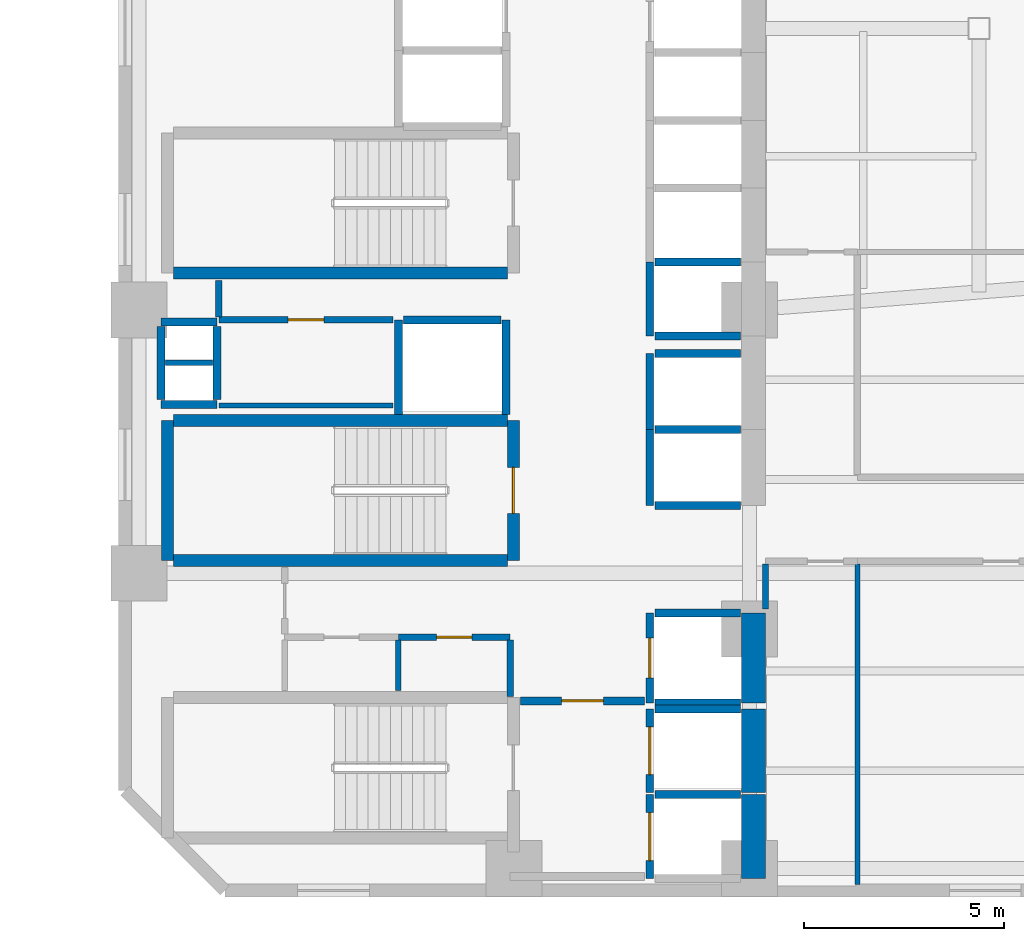
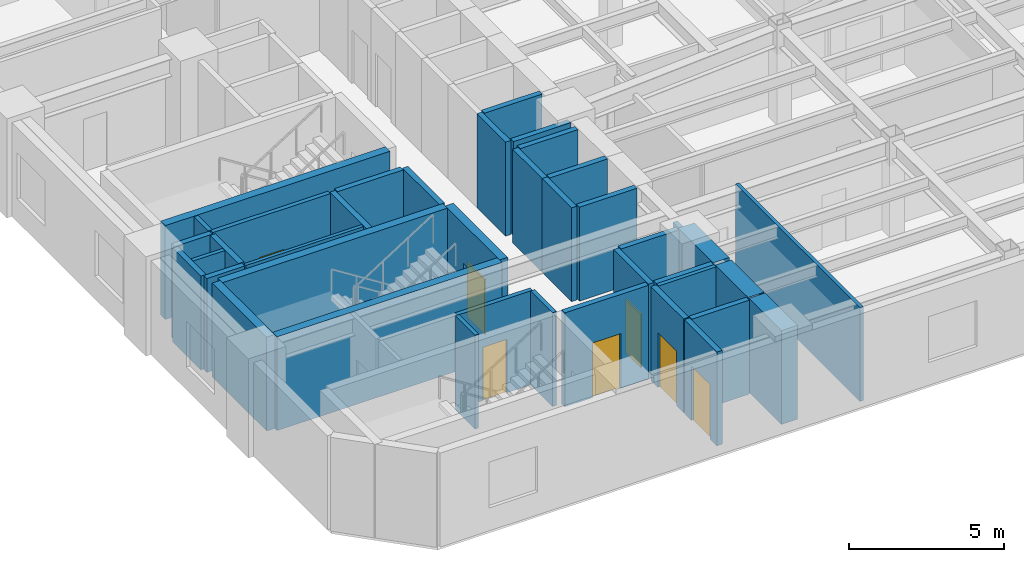
# One storey, part 3 of 11: 40 walls, 7 doors, 7 openings.
"""IFC4 building model written with IfcOpenShell, lengths in metres."""

from ifc_helpers import new_model, si_unit, direction, frame, frame_2d, origin, place, context, subcontext, project, spatial, rectangle, extrude, material, layer, layer_set, type_object, element, fill, save


model = new_model("IFC4")

# Units and contexts
model_context = context("Model", 3, precision=1e-05, world=origin(), true_north=direction((0.0, 1.0)))
body_context = subcontext(model_context, "Body", "Model", "MODEL_VIEW")
ifc_project = project(units=[si_unit("LENGTHUNIT", "METRE"), si_unit("AREAUNIT", "SQUARE_METRE"), si_unit("VOLUMEUNIT", "CUBIC_METRE"), si_unit("PLANEANGLEUNIT", "RADIAN"), si_unit("MASSUNIT", "GRAM", prefix="KILO")], contexts=[model_context])

# Site, building, storey
site_placement = place(None, origin())
site = spatial("IfcSite", under=ifc_project, at=site_placement, CompositionType="ELEMENT")
building_placement = place(site_placement, origin())
building = spatial("IfcBuilding", under=site, at=building_placement, Name="Mawjaban Terraces University", CompositionType="ELEMENT")
storey_placement = place(building_placement, frame((0.0, 0.0, 77.800048828125)))
storey = spatial("IfcBuildingStorey", under=building, at=storey_placement, Name="L18", CompositionType="ELEMENT", Elevation=77.800048828125)

# Walls
ifc_material_1 = material(Name="Concrete C70/85", Category="concrete")
ifc_layer_1 = layer(ifc_material_1, 0.60009765625)
ifc_layer_set_1 = layer_set([ifc_layer_1], Name="Concrete C70/85")
wall_type_1 = type_object("IfcWallType", Name="CoreShearWall_600", PredefinedType="SHEAR", material=ifc_layer_set_1)
wall_1_placement = place(storey_placement, frame((37.75, 0.300048828125, 0.0), z_axis=(0.0, 0.0, 1.0), x_axis=(0.0, 1.0, 0.0)))
element("IfcWall", 1, at=wall_1_placement, inside=storey, type_object=wall_type_1, Name="L18 Lift FL-1 Hoistway Wall East", PredefinedType="SHEAR", context=body_context, shape_type="SweptSolid", body=[
    extrude(rectangle(XDim=2.099853515625, YDim=0.60009765625, at=frame_2d((1.0498046875, 0.0))), origin(), (0.0, 0.0, 1.0), 3.68994140625),
])
wall_2_placement = place(storey_placement, frame((37.75, 2.449951171875, 0.0), z_axis=(0.0, 0.0, 1.0), x_axis=(0.0, 1.0, 0.0)))
element("IfcWall", 2, at=wall_2_placement, inside=storey, type_object=wall_type_1, Name="L18 Lift FL-2 Hoistway Wall East", PredefinedType="SHEAR", context=body_context, shape_type="SweptSolid", body=[
    extrude(rectangle(XDim=2.10009765625, YDim=0.60009765625, at=frame_2d((1.050048828125, 0.0))), origin(), (0.0, 0.0, 1.0), 3.68994140625),
])
wall_3_placement = place(storey_placement, frame((37.75, 4.699951171875, 0.0), z_axis=(0.0, 0.0, 1.0), x_axis=(0.0, 1.0, 0.0)))
element("IfcWall", 3, at=wall_3_placement, inside=storey, type_object=wall_type_1, Name="L18 Lift SL-1 Hoistway Wall East", PredefinedType="SHEAR", context=body_context, shape_type="SweptSolid", body=[
    extrude(rectangle(XDim=2.25, YDim=0.60009765625, at=frame_2d((1.125, 0.0))), origin(), (0.0, 0.0, 1.0), 3.68994140625),
])

# Wall, opening, door
ifc_material_2 = material(Name="Fire-rated gypsum board on steel stud", Category="steel")
ifc_layer_2 = layer(ifc_material_2, 0.159912109375)
ifc_layer_set_2 = layer_set([ifc_layer_2], Name="Fire-rated gypsum board on steel stud")
wall_type_2 = type_object("IfcWallType", Name="CorridorPartition_160", PredefinedType="PARTITIONING", material=ifc_layer_set_2)
wall_4_placement = place(storey_placement, frame((24.35009765625, 14.300048828125, 0.0), z_axis=(0.0, 0.0, 1.0), x_axis=(1.0, 0.0, 0.0)))
wall_4 = element("IfcWall", 4, at=wall_4_placement, inside=storey, type_object=wall_type_2, Name="L18 Core Riser Access Passage Partition 2", PredefinedType="PARTITIONING", context=body_context, shape_type="SweptSolid", body=[
    extrude(rectangle(XDim=4.369873046875, YDim=0.159912109375, at=frame_2d((2.18505859375, 0.0))), origin(), (0.0, 0.0, 1.0), 3.68994140625),
])
opening_1_placement = place(wall_4_placement, frame((1.735107421875, 0.0, 0.0)))
opening_1 = element("IfcOpeningElement", 5, at=opening_1_placement, cuts=wall_4, Name="Opening ID-090", PredefinedType="OPENING", context=body_context, shape_type="SweptSolid", body=[
    extrude(rectangle(XDim=0.89990234375, YDim=2.10009765625, at=frame_2d((0.449951171875, 1.050048828125))), frame((0.0, 0.08984375, 0.0), z_axis=(0.0, -1.0, 0.0), x_axis=(1.0, 0.0, 0.0)), (0.0, 0.0, 1.0), 0.179931640625),
])
ifc_material_3 = material(Name="Powder-coated steel frame and solid acoustic timber leaf", Category="steel")
door_type_1 = type_object("IfcDoorType", Name="OfficeDoor_900x2100", OperationType="NOTDEFINED", PredefinedType="DOOR", material=ifc_material_3)
door_1_placement = place(opening_1_placement, origin())
door_1 = element("IfcDoor", 6, at=door_1_placement, inside=storey, type_object=door_type_1, Name="L18 Cleaner Store Door", OperationType="SINGLE_SWING_RIGHT", OverallHeight=2.10009765625, OverallWidth=0.89990234375, PredefinedType="DOOR", context=body_context, shape_type="SweptSolid", body=[
    extrude(rectangle(XDim=0.89990234375, YDim=2.10009765625, at=frame_2d((0.449951171875, 1.050048828125))), frame((0.0, 0.02490234375, 0.0), z_axis=(0.0, -1.0, 0.0), x_axis=(1.0, 0.0, 0.0)), (0.0, 0.0, 1.0), 0.050048828125),
])
fill(opening_1, door_1)

wall_5_placement = place(storey_placement, frame((28.85009765625, 6.35009765625, 0.0), z_axis=(0.0, 0.0, 1.0), x_axis=(1.0, 0.0, 0.0)))
wall_5 = element("IfcWall", 7, at=wall_5_placement, inside=storey, type_object=wall_type_2, Name="L18 Core Washroom Lobby Partition 6", PredefinedType="PARTITIONING", context=body_context, shape_type="SweptSolid", body=[
    extrude(rectangle(XDim=2.7998046875, YDim=0.159912109375, at=frame_2d((1.39990234375, 0.0))), origin(), (0.0, 0.0, 1.0), 3.68994140625),
])
opening_2_placement = place(wall_5_placement, frame((0.9599609375, 0.0, 0.0)))
opening_2 = element("IfcOpeningElement", 8, at=opening_2_placement, cuts=wall_5, Name="Opening ID-088", PredefinedType="OPENING", context=body_context, shape_type="SweptSolid", body=[
    extrude(rectangle(XDim=0.8798828125, YDim=2.10009765625, at=frame_2d((0.43994140625, 1.050048828125))), frame((0.0, 0.08984375, 0.0), z_axis=(0.0, -1.0, 0.0), x_axis=(1.0, 0.0, 0.0)), (0.0, 0.0, 1.0), 0.179931640625),
])
door_type_2 = type_object("IfcDoorType", Name="ToiletDoor_880x2100", OperationType="NOTDEFINED", PredefinedType="DOOR", material=ifc_material_3)
door_2_placement = place(opening_2_placement, origin())
door_2 = element("IfcDoor", 9, at=door_2_placement, inside=storey, type_object=door_type_2, Name="L18 Accessible Toilet Door", OperationType="SINGLE_SWING_LEFT", OverallHeight=2.10009765625, OverallWidth=0.8798828125, PredefinedType="DOOR", context=body_context, shape_type="SweptSolid", body=[
    extrude(rectangle(XDim=0.8798828125, YDim=2.10009765625, at=frame_2d((0.43994140625, 1.050048828125))), frame((0.0, 0.02490234375, 0.0), z_axis=(0.0, -1.0, 0.0), x_axis=(1.0, 0.0, 0.0)), (0.0, 0.0, 1.0), 0.050048828125),
])
fill(opening_2, door_2)

# Walls
wall_6_placement = place(storey_placement, frame((24.35009765625, 15.2900390625, 0.0), z_axis=(0.0, 0.0, 1.0), x_axis=(0.0, -1.0, 0.0)))
element("IfcWall", 10, at=wall_6_placement, inside=storey, type_object=wall_type_2, Name="L18 Core Riser Access Passage Partition 27", PredefinedType="PARTITIONING", context=body_context, shape_type="SweptSolid", body=[
    extrude(rectangle(XDim=0.9150390625, YDim=0.159912109375, at=frame_2d((0.45751953125, 0.0))), origin(), (0.0, 0.0, 1.0), 3.68994140625),
])
wall_7_placement = place(storey_placement, frame((31.64990234375, 4.860107421875, 0.0), z_axis=(0.0, 0.0, 1.0), x_axis=(0.0, 1.0, 0.0)))
element("IfcWall", 11, at=wall_7_placement, inside=storey, type_object=wall_type_2, Name="L18 Accessible Toilet Partition 40", PredefinedType="PARTITIONING", context=body_context, shape_type="SweptSolid", body=[
    extrude(rectangle(XDim=1.414794921875, YDim=0.159912109375, at=frame_2d((0.70751953125, 0.0))), origin(), (0.0, 0.0, 1.0), 3.68994140625),
])
wall_8_placement = place(storey_placement, frame((38.050048828125, 7.050048828125, 0.0), z_axis=(0.0, 0.0, 1.0), x_axis=(0.0, 1.0, 0.0)))
element("IfcWall", 12, at=wall_8_placement, inside=storey, type_object=wall_type_2, Name="L18 Core Stair and Lift Lobby East Partition 43", PredefinedType="PARTITIONING", context=body_context, shape_type="SweptSolid", body=[
    extrude(rectangle(XDim=1.125, YDim=0.159912109375, at=frame_2d((0.5625, 0.0))), origin(), (0.0, 0.0, 1.0), 2.994873046875),
])

# Wall, opening, door
ifc_material_4 = material(Name="Concrete C40/50", Category="concrete")
ifc_layer_3 = layer(ifc_material_4, 0.199951171875)
ifc_layer_set_3 = layer_set([ifc_layer_3], Name="Concrete C40/50")
wall_type_3 = type_object("IfcWallType", Name="FireLobbyWall_200", PredefinedType="SOLIDWALL", material=ifc_layer_set_3)
wall_9_placement = place(storey_placement, frame((35.14990234375, 2.39990234375, 0.0), z_axis=(0.0, 0.0, 1.0), x_axis=(0.0, -1.0, 0.0)))
wall_9 = element("IfcWall", 13, at=wall_9_placement, inside=storey, type_object=wall_type_3, Name="L18 Lift FL-1 Hoistway Wall West", PredefinedType="SOLIDWALL", context=body_context, shape_type="SweptSolid", body=[
    extrude(rectangle(XDim=2.099853515625, YDim=0.199951171875, at=frame_2d((1.0498046875, 0.0))), origin(), (0.0, 0.0, 1.0), 3.68994140625),
])
opening_3_placement = place(wall_9_placement, frame((0.449951171875, 0.0, 0.0)))
opening_3 = element("IfcOpeningElement", 14, at=opening_3_placement, cuts=wall_9, Name="Opening LD-FL-1", PredefinedType="OPENING", context=body_context, shape_type="SweptSolid", body=[
    extrude(rectangle(XDim=1.199951171875, YDim=2.14990234375, at=frame_2d((0.60009765625, 1.074951171875))), frame((0.0, 0.10986328125, 0.0), z_axis=(0.0, -1.0, 0.0), x_axis=(1.0, 0.0, 0.0)), (0.0, 0.0, 1.0), 0.219970703125),
])
ifc_material_5 = material(Name="Powder-coated steel frame and fire-rated steel-faced leaf", Category="steel")
door_type_3 = type_object("IfcDoorType", Name="LiftLandingFSAE_1200x2150", OperationType="NOTDEFINED", PredefinedType="DOOR", material=ifc_material_5)
door_3_placement = place(opening_3_placement, origin())
door_3 = element("IfcDoor", 15, at=door_3_placement, inside=storey, type_object=door_type_3, Name="L18 Lift FL-1 Sliding Landing Door", OperationType="DOUBLE_DOOR_SLIDING", OverallHeight=2.14990234375, OverallWidth=1.199951171875, PredefinedType="DOOR", context=body_context, shape_type="SweptSolid", body=[
    extrude(rectangle(XDim=1.199951171875, YDim=2.14990234375, at=frame_2d((0.60009765625, 1.074951171875))), frame((0.0, 0.02490234375, 0.0), z_axis=(0.0, -1.0, 0.0), x_axis=(1.0, 0.0, 0.0)), (0.0, 0.0, 1.0), 0.050048828125),
])
fill(opening_3, door_3)

# Wall
wall_10_placement = place(storey_placement, frame((37.419921875, 2.39990234375, 0.0), z_axis=(0.0, 0.0, 1.0), x_axis=(-1.0, 0.0, 0.0)))
element("IfcWall", 16, at=wall_10_placement, inside=storey, type_object=wall_type_3, Name="L18 Lift FL-1 Hoistway Wall North", PredefinedType="SOLIDWALL", context=body_context, shape_type="SweptSolid", body=[
    extrude(rectangle(XDim=2.139892578125, YDim=0.199951171875, at=frame_2d((1.06982421875, 0.0))), origin(), (0.0, 0.0, 1.0), 3.68994140625),
])

# Wall, opening, door
wall_11_placement = place(storey_placement, frame((35.14990234375, 4.550048828125, 0.0), z_axis=(0.0, 0.0, 1.0), x_axis=(0.0, -1.0, 0.0)))
wall_11 = element("IfcWall", 17, at=wall_11_placement, inside=storey, type_object=wall_type_3, Name="L18 Lift FL-2 Hoistway Wall West", PredefinedType="SOLIDWALL", context=body_context, shape_type="SweptSolid", body=[
    extrude(rectangle(XDim=2.10009765625, YDim=0.199951171875, at=frame_2d((1.050048828125, 0.0))), origin(), (0.0, 0.0, 1.0), 3.68994140625),
])
opening_4_placement = place(wall_11_placement, frame((0.449951171875, 0.0, 0.0)))
opening_4 = element("IfcOpeningElement", 18, at=opening_4_placement, cuts=wall_11, Name="Opening LD-FL-2", PredefinedType="OPENING", context=body_context, shape_type="SweptSolid", body=[
    extrude(rectangle(XDim=1.199951171875, YDim=2.14990234375, at=frame_2d((0.60009765625, 1.074951171875))), frame((0.0, 0.10986328125, 0.0), z_axis=(0.0, -1.0, 0.0), x_axis=(1.0, 0.0, 0.0)), (0.0, 0.0, 1.0), 0.219970703125),
])
door_4_placement = place(opening_4_placement, origin())
door_4 = element("IfcDoor", 19, at=door_4_placement, inside=storey, type_object=door_type_3, Name="L18 Lift FL-2 Sliding Landing Door", OperationType="DOUBLE_DOOR_SLIDING", OverallHeight=2.14990234375, OverallWidth=1.199951171875, PredefinedType="DOOR", context=body_context, shape_type="SweptSolid", body=[
    extrude(rectangle(XDim=1.199951171875, YDim=2.14990234375, at=frame_2d((0.60009765625, 1.074951171875))), frame((0.0, 0.02490234375, 0.0), z_axis=(0.0, -1.0, 0.0), x_axis=(1.0, 0.0, 0.0)), (0.0, 0.0, 1.0), 0.050048828125),
])
fill(opening_4, door_4)

# Wall
wall_12_placement = place(storey_placement, frame((37.419921875, 4.550048828125, 0.0), z_axis=(0.0, 0.0, 1.0), x_axis=(-1.0, 0.0, 0.0)))
element("IfcWall", 20, at=wall_12_placement, inside=storey, type_object=wall_type_3, Name="L18 Lift FL-2 Hoistway Wall North", PredefinedType="SOLIDWALL", context=body_context, shape_type="SweptSolid", body=[
    extrude(rectangle(XDim=2.139892578125, YDim=0.199951171875, at=frame_2d((1.06982421875, 0.0))), origin(), (0.0, 0.0, 1.0), 3.68994140625),
])

# Wall, opening, door
wall_13_placement = place(storey_placement, frame((35.14990234375, 6.949951171875, 0.0), z_axis=(0.0, 0.0, 1.0), x_axis=(0.0, -1.0, 0.0)))
wall_13 = element("IfcWall", 21, at=wall_13_placement, inside=storey, type_object=wall_type_3, Name="L18 Lift SL-1 Hoistway Wall West", PredefinedType="SOLIDWALL", context=body_context, shape_type="SweptSolid", body=[
    extrude(rectangle(XDim=2.25, YDim=0.199951171875, at=frame_2d((1.125, 0.0))), origin(), (0.0, 0.0, 1.0), 3.68994140625),
])
opening_5_placement = place(wall_13_placement, frame((0.625, 0.0, 0.0)))
opening_5 = element("IfcOpeningElement", 22, at=opening_5_placement, cuts=wall_13, Name="Opening LD-SL-1", PredefinedType="OPENING", context=body_context, shape_type="SweptSolid", body=[
    extrude(rectangle(XDim=1.0, YDim=2.10009765625, at=frame_2d((0.5, 1.050048828125))), frame((0.0, 0.10986328125, 0.0), z_axis=(0.0, -1.0, 0.0), x_axis=(1.0, 0.0, 0.0)), (0.0, 0.0, 1.0), 0.219970703125),
])
door_type_4 = type_object("IfcDoorType", Name="LiftLandingSliding_1000x2100", OperationType="NOTDEFINED", PredefinedType="DOOR", material=ifc_material_5)
door_5_placement = place(opening_5_placement, origin())
door_5 = element("IfcDoor", 23, at=door_5_placement, inside=storey, type_object=door_type_4, Name="L18 Lift SL-1 Sliding Landing Door", OperationType="DOUBLE_DOOR_SLIDING", OverallHeight=2.10009765625, OverallWidth=1.0, PredefinedType="DOOR", context=body_context, shape_type="SweptSolid", body=[
    extrude(rectangle(XDim=1.0, YDim=2.10009765625, at=frame_2d((0.5, 1.050048828125))), frame((0.0, 0.02490234375, 0.0), z_axis=(0.0, -1.0, 0.0), x_axis=(1.0, 0.0, 0.0)), (0.0, 0.0, 1.0), 0.050048828125),
])
fill(opening_5, door_5)

# Walls
for number, where, z_axis, x_axis, name in (
    (24, (35.280029296875, 4.699951171875, 0.0), (0.0, 0.0, 1.0), (1.0, 0.0, 0.0), "L18 Lift SL-1 Hoistway Wall South"),
    (25, (37.419921875, 6.949951171875, 0.0), (0.0, 0.0, 1.0), (-1.0, 0.0, 0.0), "L18 Lift SL-1 Hoistway Wall North"),
):
    element("IfcWall", number, at=place(storey_placement, frame(where, z_axis=z_axis, x_axis=x_axis)), inside=storey, type_object=wall_type_3, Name=name, PredefinedType="SOLIDWALL", context=body_context, shape_type="SweptSolid", body=[
        extrude(rectangle(XDim=2.139892578125, YDim=0.199951171875, at=frame_2d((1.06982421875, 0.0))), origin(), (0.0, 0.0, 1.0), 3.68994140625),
    ])
wall_14_placement = place(storey_placement, frame((35.14990234375, 11.550048828125, 0.0), z_axis=(0.0, 0.0, 1.0), x_axis=(0.0, -1.0, 0.0)))
element("IfcWall", 26, at=wall_14_placement, inside=storey, type_object=wall_type_3, Name="L18 Lift PL-H1 Hoistway Wall West", PredefinedType="SOLIDWALL", context=body_context, shape_type="SweptSolid", body=[
    extrude(rectangle(XDim=1.900146484375, YDim=0.199951171875, at=frame_2d((0.9501953125, 0.0))), origin(), (0.0, 0.0, 1.0), 3.68994140625),
])
for number, where, z_axis, x_axis, name in (
    (27, (35.280029296875, 9.64990234375, 0.0), (0.0, 0.0, 1.0), (1.0, 0.0, 0.0), "L18 Lift PL-H1 Hoistway Wall South"),
    (28, (37.419921875, 11.550048828125, 0.0), (0.0, 0.0, 1.0), (-1.0, 0.0, 0.0), "L18 Lift PL-H1 Hoistway Wall North"),
):
    element("IfcWall", number, at=place(storey_placement, frame(where, z_axis=z_axis, x_axis=x_axis)), inside=storey, type_object=wall_type_3, Name=name, PredefinedType="SOLIDWALL", context=body_context, shape_type="SweptSolid", body=[
        extrude(rectangle(XDim=2.139892578125, YDim=0.199951171875, at=frame_2d((1.06982421875, 0.0))), origin(), (0.0, 0.0, 1.0), 3.68994140625),
    ])
wall_15_placement = place(storey_placement, frame((35.14990234375, 13.449951171875, 0.0), z_axis=(0.0, 0.0, 1.0), x_axis=(0.0, -1.0, 0.0)))
element("IfcWall", 29, at=wall_15_placement, inside=storey, type_object=wall_type_3, Name="L18 Lift PL-H2 Hoistway Wall West", PredefinedType="SOLIDWALL", context=body_context, shape_type="SweptSolid", body=[
    extrude(rectangle(XDim=1.89990234375, YDim=0.199951171875, at=frame_2d((0.949951171875, 0.0))), origin(), (0.0, 0.0, 1.0), 3.68994140625),
])
wall_16_placement = place(storey_placement, frame((37.419921875, 13.449951171875, 0.0), z_axis=(0.0, 0.0, 1.0), x_axis=(-1.0, 0.0, 0.0)))
element("IfcWall", 30, at=wall_16_placement, inside=storey, type_object=wall_type_3, Name="L18 Lift PL-H2 Hoistway Wall North", PredefinedType="SOLIDWALL", context=body_context, shape_type="SweptSolid", body=[
    extrude(rectangle(XDim=2.139892578125, YDim=0.199951171875, at=frame_2d((1.06982421875, 0.0))), origin(), (0.0, 0.0, 1.0), 3.68994140625),
])
for number, where, z_axis, x_axis, name in (
    (31, (28.85009765625, 14.300048828125, 0.0), (0.0, 0.0, 1.0), (0.0, -1.0, 0.0), "L18 Lift PL-H3 Hoistway Wall West"),
    (32, (31.550048828125, 11.929931640625, 0.0), (0.0, 0.0, 1.0), (0.0, 1.0, 0.0), "L18 Lift PL-H3 Hoistway Wall East"),
):
    element("IfcWall", number, at=place(storey_placement, frame(where, z_axis=z_axis, x_axis=x_axis)), inside=storey, type_object=wall_type_3, Name=name, PredefinedType="SOLIDWALL", context=body_context, shape_type="SweptSolid", body=[
        extrude(rectangle(XDim=2.3701171875, YDim=0.199951171875, at=frame_2d((1.18505859375, 0.0))), origin(), (0.0, 0.0, 1.0), 3.68994140625),
    ])
wall_17_placement = place(storey_placement, frame((31.419921875, 14.300048828125, 0.0), z_axis=(0.0, 0.0, 1.0), x_axis=(-1.0, 0.0, 0.0)))
element("IfcWall", 33, at=wall_17_placement, inside=storey, type_object=wall_type_3, Name="L18 Lift PL-H3 Hoistway Wall North", PredefinedType="SOLIDWALL", context=body_context, shape_type="SweptSolid", body=[
    extrude(rectangle(XDim=2.43994140625, YDim=0.199951171875, at=frame_2d((1.219970703125, 0.0))), origin(), (0.0, 0.0, 1.0), 3.68994140625),
])
wall_18_placement = place(storey_placement, frame((35.14990234375, 15.75, 0.0), z_axis=(0.0, 0.0, 1.0), x_axis=(0.0, -1.0, 0.0)))
element("IfcWall", 34, at=wall_18_placement, inside=storey, type_object=wall_type_3, Name="L18 Lift OL-1 Hoistway Wall West", PredefinedType="SOLIDWALL", context=body_context, shape_type="SweptSolid", body=[
    extrude(rectangle(XDim=1.85009765625, YDim=0.199951171875, at=frame_2d((0.925048828125, 0.0))), origin(), (0.0, 0.0, 1.0), 3.68994140625),
])
for number, where, z_axis, x_axis, name in (
    (35, (35.280029296875, 13.89990234375, 0.0), (0.0, 0.0, 1.0), (1.0, 0.0, 0.0), "L18 Lift OL-1 Hoistway Wall South"),
    (36, (37.419921875, 15.75, 0.0), (0.0, 0.0, 1.0), (-1.0, 0.0, 0.0), "L18 Lift OL-1 Hoistway Wall North"),
):
    element("IfcWall", number, at=place(storey_placement, frame(where, z_axis=z_axis, x_axis=x_axis)), inside=storey, type_object=wall_type_3, Name=name, PredefinedType="SOLIDWALL", context=body_context, shape_type="SweptSolid", body=[
        extrude(rectangle(XDim=2.139892578125, YDim=0.199951171875, at=frame_2d((1.06982421875, 0.0))), origin(), (0.0, 0.0, 1.0), 3.68994140625),
    ])
for number, where, z_axis, x_axis, name in (
    (37, (22.89990234375, 14.25, 0.0), (0.0, 0.0, 1.0), (1.0, 0.0, 0.0), "L18 MEP Riser Shaft Wall N"),
    (38, (22.89990234375, 12.179931640625, 0.0), (0.0, 0.0, 1.0), (1.0, 0.0, 0.0), "L18 MEP Riser Shaft Wall S"),
):
    element("IfcWall", number, at=place(storey_placement, frame(where, z_axis=z_axis, x_axis=x_axis)), inside=storey, type_object=wall_type_3, Name=name, PredefinedType="SOLIDWALL", context=body_context, shape_type="SweptSolid", body=[
        extrude(rectangle(XDim=1.400146484375, YDim=0.199951171875, at=frame_2d((0.7001953125, 0.0))), origin(), (0.0, 0.0, 1.0), 3.68994140625),
    ])
for number, where, z_axis, x_axis, name in (
    (39, (24.300048828125, 12.300048828125, 0.0), (0.0, 0.0, 1.0), (0.0, 1.0, 0.0), "L18 MEP Riser Shaft Wall E"),
    (40, (22.89990234375, 12.300048828125, 0.0), (0.0, 0.0, 1.0), (0.0, 1.0, 0.0), "L18 MEP Riser Shaft Wall W"),
):
    element("IfcWall", number, at=place(storey_placement, frame(where, z_axis=z_axis, x_axis=x_axis)), inside=storey, type_object=wall_type_3, Name=name, PredefinedType="SOLIDWALL", context=body_context, shape_type="SweptSolid", body=[
        extrude(rectangle(XDim=1.829833984375, YDim=0.199951171875, at=frame_2d((0.9150390625, 0.0))), origin(), (0.0, 0.0, 1.0), 3.68994140625),
    ])

# Wall, opening, door
wall_19_placement = place(storey_placement, frame((35.02001953125, 4.75, 0.0), z_axis=(0.0, 0.0, 1.0), x_axis=(-1.0, 0.0, 0.0)))
wall_19 = element("IfcWall", 41, at=wall_19_placement, inside=storey, type_object=wall_type_3, Name="L18 Firefighting Lift Lobby Partition 12", PredefinedType="SOLIDWALL", context=body_context, shape_type="SweptSolid", body=[
    extrude(rectangle(XDim=3.110107421875, YDim=0.199951171875, at=frame_2d((1.55517578125, 0.0))), origin(), (0.0, 0.0, 1.0), 3.68994140625),
])
opening_6_placement = place(wall_19_placement, frame((1.030029296875, 0.0, 0.0)))
opening_6 = element("IfcOpeningElement", 42, at=opening_6_placement, cuts=wall_19, Name="Opening FD-105", PredefinedType="OPENING", context=body_context, shape_type="SweptSolid", body=[
    extrude(rectangle(XDim=1.050048828125, YDim=2.14990234375, at=frame_2d((0.52490234375, 1.074951171875))), frame((0.0, 0.10986328125, 0.0), z_axis=(0.0, -1.0, 0.0), x_axis=(1.0, 0.0, 0.0)), (0.0, 0.0, 1.0), 0.219970703125),
])
door_type_5 = type_object("IfcDoorType", Name="FireLobbyDoor_1050x2150", OperationType="NOTDEFINED", PredefinedType="DOOR", material=ifc_material_5)
door_6_placement = place(opening_6_placement, origin())
door_6 = element("IfcDoor", 43, at=door_6_placement, inside=storey, type_object=door_type_5, Name="L18 Firefighting Lift Lobby Door", OperationType="SINGLE_SWING_RIGHT", OverallHeight=2.14990234375, OverallWidth=1.050048828125, PredefinedType="DOOR", context=body_context, shape_type="SweptSolid", body=[
    extrude(rectangle(XDim=1.050048828125, YDim=2.14990234375, at=frame_2d((0.52490234375, 1.074951171875))), frame((0.0, 0.02490234375, 0.0), z_axis=(0.0, -1.0, 0.0), x_axis=(1.0, 0.0, 0.0)), (0.0, 0.0, 1.0), 0.050048828125),
])
fill(opening_6, door_6)

# Walls
ifc_material_6 = material(Name="Moisture-resistant gypsum board on steel stud", Category="steel")
ifc_layer_4 = layer(ifc_material_6, 0.14501953125)
ifc_layer_set_4 = layer_set([ifc_layer_4], Name="Moisture-resistant gypsum board on steel stud")
wall_type_4 = type_object("IfcWallType", Name="LabPartition_145", PredefinedType="PARTITIONING", material=ifc_layer_set_4)
wall_20_placement = place(storey_placement, frame((23.010009765625, 13.22509765625, 0.0), z_axis=(0.0, 0.0, 1.0), x_axis=(1.0, 0.0, 0.0)))
element("IfcWall", 44, at=wall_20_placement, inside=storey, type_object=wall_type_4, Name="L18 MEP Riser Shaft Wall M", PredefinedType="PARTITIONING", context=body_context, shape_type="SweptSolid", body=[
    extrude(rectangle(XDim=1.179931640625, YDim=0.14501953125, at=frame_2d((0.58984375, 0.0))), origin(), (0.0, 0.0, 1.0), 3.68994140625),
])
ifc_material_7 = material(Name="Gypsum plasterboard on steel stud", Category="steel")
ifc_layer_5 = layer(ifc_material_7, 0.125)
ifc_layer_set_5 = layer_set([ifc_layer_5], Name="Gypsum plasterboard on steel stud")
wall_type_5 = type_object("IfcWallType", Name="OfficePartition_125", PredefinedType="PARTITIONING", material=ifc_layer_set_5)
wall_21_placement = place(storey_placement, frame((24.35009765625, 12.14990234375, 0.0), z_axis=(0.0, 0.0, 1.0), x_axis=(1.0, 0.0, 0.0)))
element("IfcWall", 45, at=wall_21_placement, inside=storey, type_object=wall_type_5, Name="L18 Cleaner Store Partition 1", PredefinedType="PARTITIONING", context=body_context, shape_type="SweptSolid", body=[
    extrude(rectangle(XDim=4.369873046875, YDim=0.125, at=frame_2d((2.18505859375, 0.0))), origin(), (0.0, 0.0, 1.0), 3.68994140625),
])
wall_22_placement = place(storey_placement, frame((40.35009765625, 0.155029296875, 0.0), z_axis=(0.0, 0.0, 1.0), x_axis=(0.0, 1.0, 0.0)))
element("IfcWall", 46, at=wall_22_placement, inside=storey, type_object=wall_type_5, Name="L18 Academic Counseling Room 1 Partition 45", PredefinedType="PARTITIONING", context=body_context, shape_type="SweptSolid", body=[
    extrude(rectangle(XDim=8.02001953125, YDim=0.125, at=frame_2d((4.010009765625, 0.0))), origin(), (0.0, 0.0, 1.0), 3.68994140625),
])
ifc_material_8 = material(Name="Concrete C60/75", Category="concrete")
ifc_layer_6 = layer(ifc_material_8, 0.300048828125)
ifc_layer_set_6 = layer_set([ifc_layer_6], Name="Concrete C60/75")
wall_type_6 = type_object("IfcWallType", Name="StairShaftWall_300", PredefinedType="SHEAR", material=ifc_layer_set_6)
for number, where, z_axis, x_axis, name in (
    (47, (23.219970703125, 15.469970703125, 0.0), (0.0, 0.0, 1.0), (1.0, 0.0, 0.0), "L18 ST-2 Stair Shaft Wall 3"),
    (48, (31.580078125, 11.780029296875, 0.0), (0.0, 0.0, 1.0), (-1.0, 0.0, 0.0), "L18 ST-3 Stair Shaft Wall 1"),
):
    element("IfcWall", number, at=place(storey_placement, frame(where, z_axis=z_axis, x_axis=x_axis)), inside=storey, type_object=wall_type_6, Name=name, PredefinedType="SHEAR", context=body_context, shape_type="SweptSolid", body=[
        extrude(rectangle(XDim=8.360107421875, YDim=0.300048828125, at=frame_2d((4.18017578125, 0.0))), origin(), (0.0, 0.0, 1.0), 3.68994140625),
    ])
wall_23_placement = place(storey_placement, frame((23.070068359375, 11.780029296875, 0.0), z_axis=(0.0, 0.0, 1.0), x_axis=(0.0, -1.0, 0.0)))
element("IfcWall", 49, at=wall_23_placement, inside=storey, type_object=wall_type_6, Name="L18 ST-3 Stair Shaft Wall 2", PredefinedType="SHEAR", context=body_context, shape_type="SweptSolid", body=[
    extrude(rectangle(XDim=3.510009765625, YDim=0.300048828125, at=frame_2d((1.7548828125, 0.0))), origin(), (0.0, 0.0, 1.0), 3.68994140625),
])
wall_24_placement = place(storey_placement, frame((23.219970703125, 8.27001953125, 0.0), z_axis=(0.0, 0.0, 1.0), x_axis=(1.0, 0.0, 0.0)))
element("IfcWall", 50, at=wall_24_placement, inside=storey, type_object=wall_type_6, Name="L18 ST-3 Stair Shaft Wall 3", PredefinedType="SHEAR", context=body_context, shape_type="SweptSolid", body=[
    extrude(rectangle(XDim=8.360107421875, YDim=0.300048828125, at=frame_2d((4.18017578125, 0.0))), origin(), (0.0, 0.0, 1.0), 3.68994140625),
])

# Wall, opening, door
wall_25_placement = place(storey_placement, frame((31.72998046875, 8.27001953125, 0.0), z_axis=(0.0, 0.0, 1.0), x_axis=(0.0, 1.0, 0.0)))
wall_25 = element("IfcWall", 51, at=wall_25_placement, inside=storey, type_object=wall_type_6, Name="L18 ST-3 Stair Shaft Wall 4", PredefinedType="SHEAR", context=body_context, shape_type="SweptSolid", body=[
    extrude(rectangle(XDim=3.510009765625, YDim=0.300048828125, at=frame_2d((1.7548828125, 0.0))), origin(), (0.0, 0.0, 1.0), 3.68994140625),
])
opening_7_placement = place(wall_25_placement, frame((1.179931640625, 0.0, 0.0)))
opening_7 = element("IfcOpeningElement", 52, at=opening_7_placement, cuts=wall_25, Name="Opening FD-115", PredefinedType="OPENING", context=body_context, shape_type="SweptSolid", body=[
    extrude(rectangle(XDim=1.14990234375, YDim=2.14990234375, at=frame_2d((0.574951171875, 1.074951171875))), frame((0.0, 0.159912109375, 0.0), z_axis=(0.0, -1.0, 0.0), x_axis=(1.0, 0.0, 0.0)), (0.0, 0.0, 1.0), 0.320068359375),
])
door_type_6 = type_object("IfcDoorType", Name="FireStairDoor_1150x2150", OperationType="NOTDEFINED", PredefinedType="DOOR", material=ifc_material_5)
door_7_placement = place(opening_7_placement, origin())
door_7 = element("IfcDoor", 53, at=door_7_placement, inside=storey, type_object=door_type_6, Name="L18 ST-3 Pressurised Stair Fire Door", OperationType="SINGLE_SWING_LEFT", OverallHeight=2.14990234375, OverallWidth=1.14990234375, PredefinedType="DOOR", context=body_context, shape_type="SweptSolid", body=[
    extrude(rectangle(XDim=1.14990234375, YDim=2.14990234375, at=frame_2d((0.574951171875, 1.074951171875))), frame((0.0, 0.02490234375, 0.0), z_axis=(0.0, -1.0, 0.0), x_axis=(1.0, 0.0, 0.0)), (0.0, 0.0, 1.0), 0.050048828125),
])
fill(opening_7, door_7)

# Wall
ifc_material_9 = material(Name="Cement-board wet-room partition", Category="masonry")
ifc_layer_7 = layer(ifc_material_9, 0.135009765625)
ifc_layer_set_7 = layer_set([ifc_layer_7], Name="Cement-board wet-room partition")
wall_type_7 = type_object("IfcWallType", Name="WetRoomPartition_135", PredefinedType="PARTITIONING", material=ifc_layer_set_7)
wall_26_placement = place(storey_placement, frame((28.85009765625, 5.010009765625, 0.0), z_axis=(0.0, 0.0, 1.0), x_axis=(0.0, 1.0, 0.0)))
element("IfcWall", 54, at=wall_26_placement, inside=storey, type_object=wall_type_7, Name="L18 Male Toilet Partition 31", PredefinedType="PARTITIONING", context=body_context, shape_type="SweptSolid", body=[
    extrude(rectangle(XDim=1.264892578125, YDim=0.135009765625, at=frame_2d((0.63232421875, 0.0))), origin(), (0.0, 0.0, 1.0), 3.68994140625),
])

save(model, "model.ifc")
